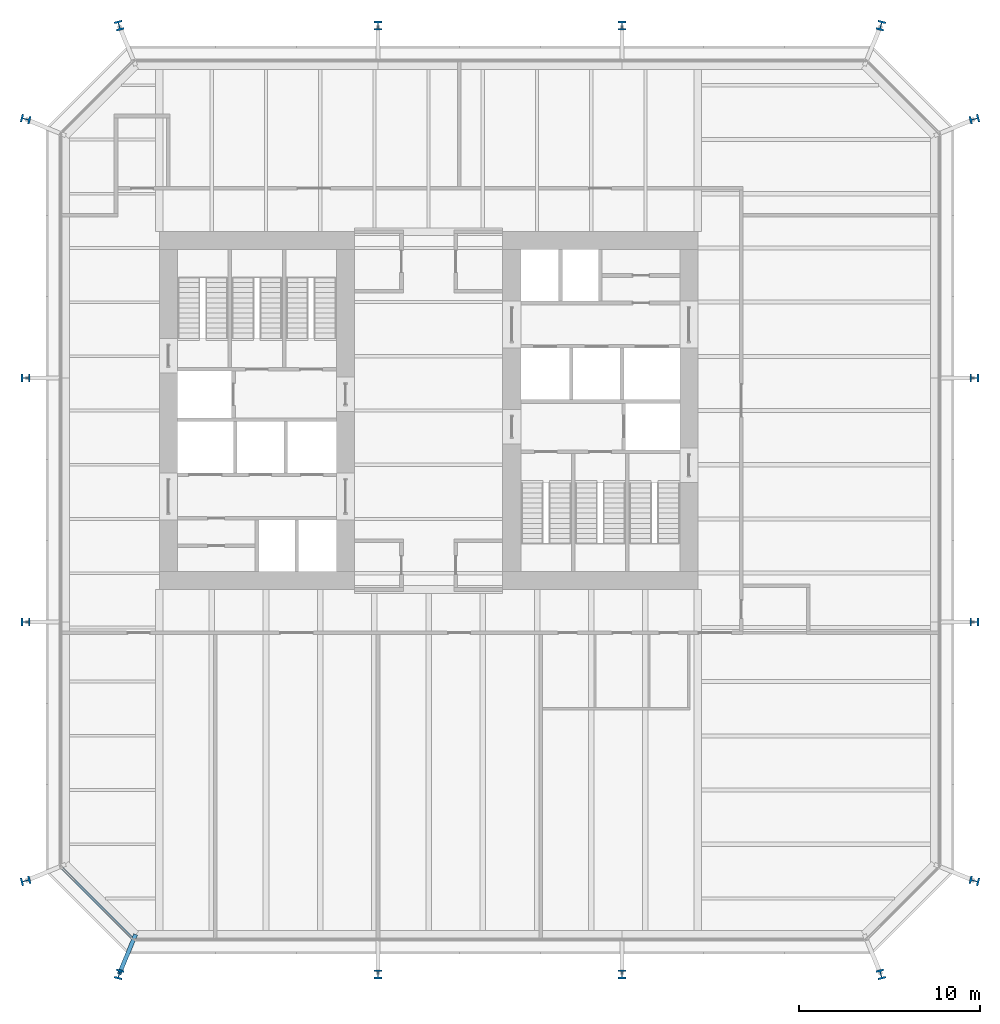
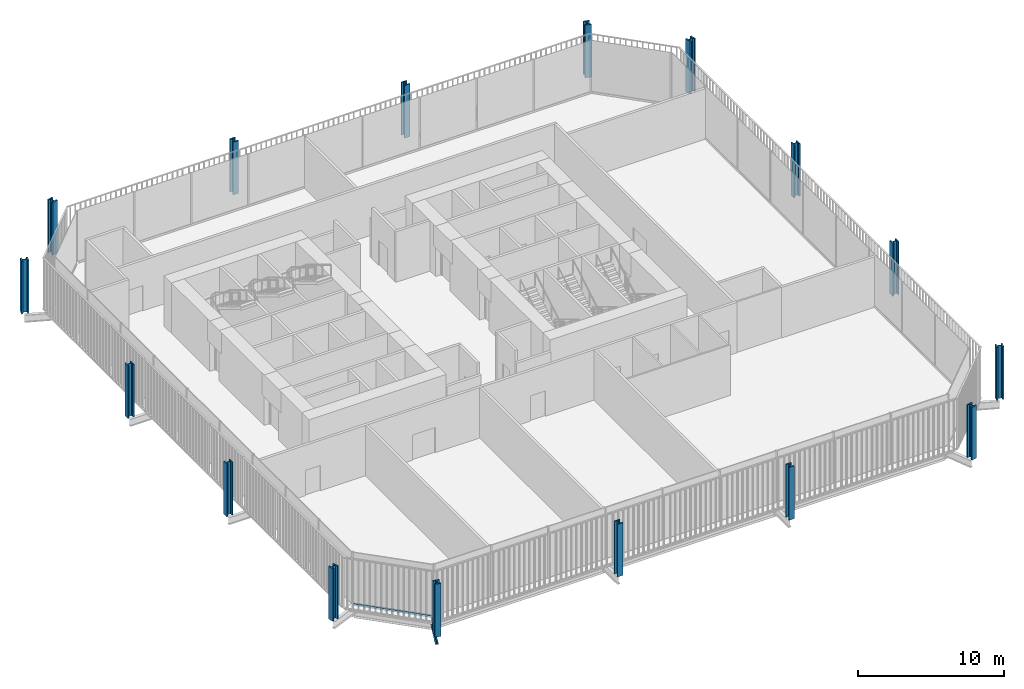
# One storey, part 1 of 20: 16 columns, 1 beam, 1 member, 1 element without a shape of its own.
"""IFC4 building model written with IfcOpenShell, lengths in metres."""

from ifc_helpers import new_model, si_unit, direction, frame, origin, origin_2d, place, context, subcontext, project, spatial, rectangle, i_section, extrude, material, layer, layer_set, material_profile, profile_set, type_object, element, aggregate, save


model = new_model("IFC4")

# Units and contexts
model_context = context("Model", 3, precision=1e-05, world=origin(), true_north=direction((0.0, 1.0)))
body_context = subcontext(model_context, "Body", "Model", "MODEL_VIEW")
ifc_project = project(units=[si_unit("LENGTHUNIT", "METRE"), si_unit("AREAUNIT", "SQUARE_METRE"), si_unit("VOLUMEUNIT", "CUBIC_METRE"), si_unit("PLANEANGLEUNIT", "RADIAN"), si_unit("MASSUNIT", "GRAM", prefix="KILO")], contexts=[model_context])

# Site, building, storey
site_placement = place(None, origin())
site = spatial("IfcSite", under=ifc_project, at=site_placement, CompositionType="ELEMENT")
building_placement = place(site_placement, origin())
building = spatial("IfcBuilding", under=site, at=building_placement, Name="Millrace Tower", CompositionType="ELEMENT")
storey_placement = place(building_placement, frame((0.0, 0.0, 99.60009765625)))
storey = spatial("IfcBuildingStorey", under=building, at=storey_placement, Name="L22", CompositionType="ELEMENT", Elevation=99.60009765625)

# Columns
ifc_material_1 = material(Name="Steel ASTM A913 Grade 65", Category="steel")
ifc_material_profile_1 = material_profile(ifc_material_1, i_section(OverallWidth=0.431884765625, OverallDepth=0.497802734375, WebThickness=0.0556640625, FlangeThickness=0.0888671875, FilletRadius=0.01513671875, at=origin_2d()))
ifc_profile_set_1 = profile_set([ifc_material_profile_1], Name="Steel ASTM A913 Grade 65")
column_type_1 = type_object("IfcColumnType", Name="Exoskeleton column W14x500", PredefinedType="COLUMN", material=ifc_profile_set_1)
for number, where, z_axis, x_axis, name in (
    (1, (-2.800048828125, -31.199951171875, 0.0), (0.0, 0.0, 1.0), (1.0, 0.0, 0.0), "COL-B-L22-X03"),
    (2, (10.699951171875, -31.199951171875, 0.0), (0.0, 0.0, 1.0), (1.0, 0.0, 0.0), "COL-B-L22-X04"),
    (3, (30.199951171875, -11.699951171875, 0.0), (0.0, 0.0, 1.0), (0.0, 1.0, 0.0), "COL-B-L22-X07"),
    (4, (30.199951171875, 1.800048828125, 0.0), (0.0, 0.0, 1.0), (0.0, 1.0, 0.0), "COL-B-L22-X08"),
    (5, (10.699951171875, 21.300048828125, 0.0), (0.0, 0.0, 1.0), (-1.0, 0.0, 0.0), "COL-B-L22-X11"),
    (6, (-2.800048828125, 21.300048828125, 0.0), (0.0, 0.0, 1.0), (-1.0, 0.0, 0.0), "COL-B-L22-X12"),
    (7, (-22.300048828125, 1.800048828125, 0.0), (0.0, 0.0, 1.0), (0.0, -1.0, 0.0), "COL-B-L22-X15"),
    (8, (-22.300048828125, -11.699951171875, 0.0), (0.0, 0.0, 1.0), (0.0, -1.0, 0.0), "COL-B-L22-X16"),
):
    element("IfcColumn", number, at=place(storey_placement, frame(where, z_axis=z_axis, x_axis=x_axis)), inside=storey, type_object=column_type_1, Name=name, PredefinedType="COLUMN", context=body_context, shape_type="SweptSolid", body=[
        extrude(i_section(OverallWidth=0.431884765625, OverallDepth=0.497802734375, WebThickness=0.0556640625, FlangeThickness=0.0888671875, FilletRadius=0.01513671875, at=origin_2d()), origin(), (0.0, 0.0, 1.0), 4.39990234375),
    ])
ifc_material_2 = material(Name="Steel ASTM A913 Grade 65", Category="steel")
ifc_material_profile_2 = material_profile(ifc_material_2, i_section(OverallWidth=0.44189453125, OverallDepth=0.53076171875, WebThickness=0.06591796875, FlangeThickness=0.105712890625, FilletRadius=0.01513671875, at=origin_2d()))
ifc_profile_set_2 = profile_set([ifc_material_profile_2], Name="Steel ASTM A913 Grade 65")
column_type_2 = type_object("IfcColumnType", Name="Exoskeleton column W14x605", PredefinedType="COLUMN", material=ifc_profile_set_2)
for number, where, z_axis, x_axis, name in (
    (9, (-22.300048828125, -26.0283203125, 0.0), (0.0, 0.0, 1.0), (0.256346878353, -0.966584852953, 0.0), "COL-B-L22-X01"),
    (10, (-17.12841796875, -31.199951171875, 0.0), (0.0, 0.0, 1.0), (0.966584852953, -0.256346878353, 0.0), "COL-B-L22-X02"),
    (11, (25.0283203125, -31.199951171875, 0.0), (0.0, 0.0, 1.0), (0.966584852953, 0.256346878353, 0.0), "COL-B-L22-X05"),
    (12, (30.199951171875, -26.0283203125, 0.0), (0.0, 0.0, 1.0), (0.256346878353, 0.966584852953, 0.0), "COL-B-L22-X06"),
    (13, (30.199951171875, 16.12841796875, 0.0), (0.0, 0.0, 1.0), (-0.256346878353, 0.966584852953, 0.0), "COL-B-L22-X09"),
    (14, (25.0283203125, 21.300048828125, 0.0), (0.0, 0.0, 1.0), (-0.966584852953, 0.256346878353, 0.0), "COL-B-L22-X10"),
    (15, (-17.12841796875, 21.300048828125, 0.0), (0.0, 0.0, 1.0), (-0.966584852953, -0.256346878353, 0.0), "COL-B-L22-X13"),
    (16, (-22.300048828125, 16.12841796875, 0.0), (0.0, 0.0, 1.0), (-0.256346878353, -0.966584852953, 0.0), "COL-B-L22-X14"),
):
    element("IfcColumn", number, at=place(storey_placement, frame(where, z_axis=z_axis, x_axis=x_axis)), inside=storey, type_object=column_type_2, Name=name, PredefinedType="COLUMN", context=body_context, shape_type="SweptSolid", body=[
        extrude(i_section(OverallWidth=0.44189453125, OverallDepth=0.53076171875, WebThickness=0.06591796875, FlangeThickness=0.105712890625, FilletRadius=0.01513671875, at=origin_2d()), origin(), (0.0, 0.0, 1.0), 4.39990234375),
    ])

# Curtain wall, member
ifc_material_3 = material(Name="Aluminium and glass", Category="aluminium")
ifc_layer = layer(ifc_material_3, 0.14990234375)
ifc_layer_set = layer_set([ifc_layer], Name="Aluminium and glass")
curtain_wall_type = type_object("IfcCurtainWallType", Name="CW-3 telecom floor curtain wall", PredefinedType="NOTDEFINED", material=ifc_layer_set)
curtain_wall_placement = place(storey_placement, origin())
curtain_wall = element("IfcCurtainWall", 17, at=curtain_wall_placement, inside=storey, type_object=curtain_wall_type, Name="Curtain wall B-F01 L22", PredefinedType="NOTDEFINED")
ifc_material_4 = material(Name="Aluminium", Category="aluminium")
ifc_material_profile_3 = material_profile(ifc_material_4, rectangle(XDim=0.14990234375, YDim=0.14990234375, at=origin_2d()))
ifc_profile_set_3 = profile_set([ifc_material_profile_3], Name="Aluminium")
member_type = type_object("IfcMemberType", Name="CW-3 telecom floor curtain wall transom", PredefinedType="USERDEFINED", material=ifc_profile_set_3)
member_placement = place(storey_placement, frame((-20.2822265625, -25.32373046875, 0.074951171875), z_axis=(0.707084410407, -0.707129151258, 0.0), x_axis=(0.707129151258, 0.707084410407, 0.0)))
member = element("IfcMember", 18, at=member_placement, type_object=member_type, Name="CW3 transom B-F01.1", ObjectType="TRANSOM", PredefinedType="USERDEFINED", context=body_context, shape_type="SweptSolid", body=[
    extrude(rectangle(XDim=0.14990234375, YDim=0.14990234375, at=origin_2d()), origin(), (0.0, 0.0, 1.0), 5.456787109375),
])
aggregate(curtain_wall, [member])

# Beam
ifc_material_5 = material(Name="Steel ASTM A992 Grade 50", Category="steel")
ifc_material_profile_4 = material_profile(ifc_material_5, i_section(OverallWidth=0.23046875, OverallDepth=0.6171875, WebThickness=0.01318359375, FlangeThickness=0.022216796875, FilletRadius=0.012939453125, at=origin_2d()))
ifc_profile_set_4 = profile_set([ifc_material_profile_4], Name="Steel ASTM A992 Grade 50")
beam_type = type_object("IfcBeamType", Name="Link beam W24x94", PredefinedType="BEAM", material=ifc_profile_set_4)
beam_placement = place(storey_placement, frame((-16.213134765625, -28.990478515625, -0.5087890625), z_axis=(-0.382715433277, -0.92386627665, 0.0), x_axis=(0.92386627665, -0.382715433277, 0.0)))
element("IfcBeam", 19, at=beam_placement, inside=storey, type_object=beam_type, Name="LNK-B-L22-S1-16", PredefinedType="BEAM", context=body_context, shape_type="SweptSolid", body=[
    extrude(i_section(OverallWidth=0.23046875, OverallDepth=0.6171875, WebThickness=0.01318359375, FlangeThickness=0.022216796875, FilletRadius=0.012939453125, at=origin_2d()), origin(), (0.0, 0.0, 1.0), 2.3916015625),
])

save(model, "model.ifc")
